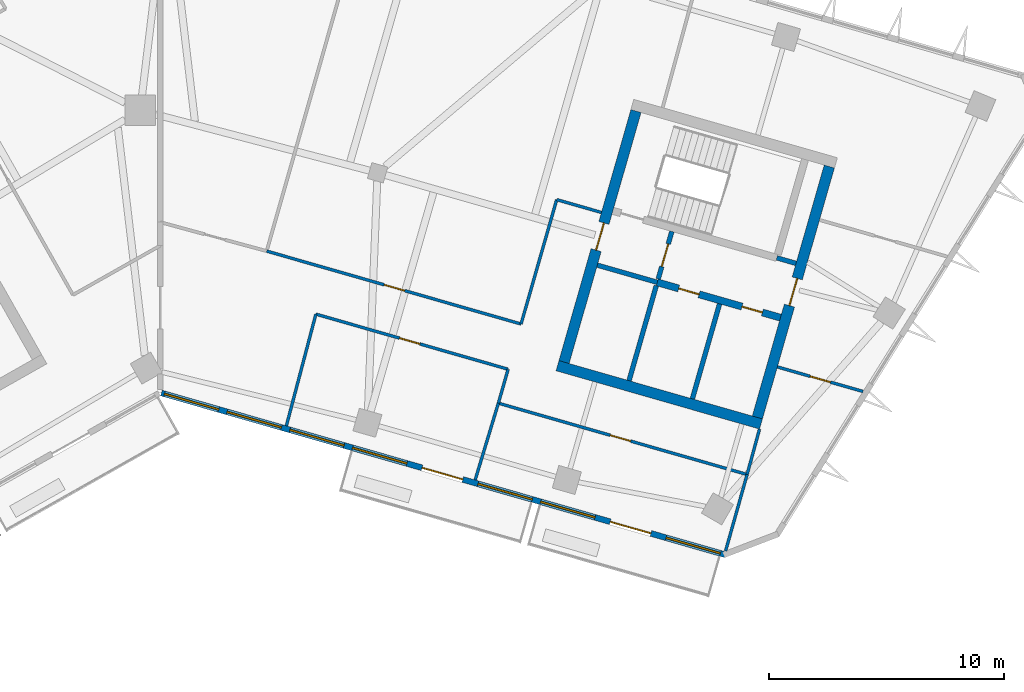
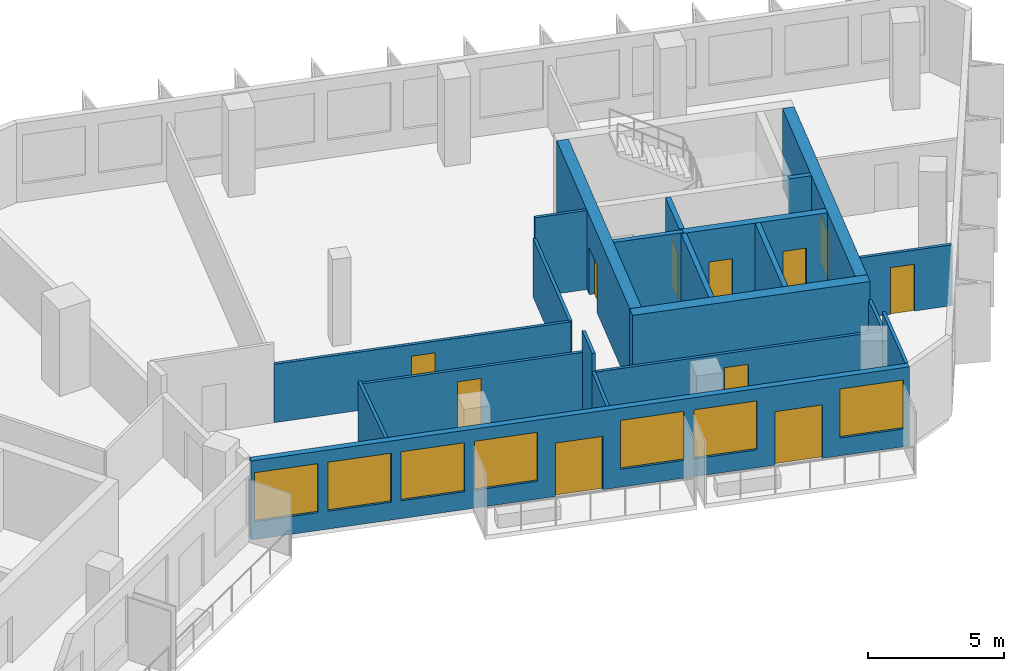
# One storey, part 7 of 12: 21 walls, 11 doors, 7 windows, 18 openings.
"""IFC4 building model written with IfcOpenShell, lengths in metres."""

from ifc_helpers import new_model, si_unit, direction, frame, frame_2d, origin, place, context, subcontext, project, spatial, rectangle, extrude, material, layer, layer_set, type_object, element, fill, save


model = new_model("IFC4")

# Units and contexts
model_context = context("Model", 3, precision=1e-05, world=origin(), true_north=direction((0.0, 1.0)))
body_context = subcontext(model_context, "Body", "Model", "MODEL_VIEW")
ifc_project = project(units=[si_unit("LENGTHUNIT", "METRE"), si_unit("AREAUNIT", "SQUARE_METRE"), si_unit("VOLUMEUNIT", "CUBIC_METRE"), si_unit("PLANEANGLEUNIT", "RADIAN"), si_unit("MASSUNIT", "GRAM", prefix="KILO")], contexts=[model_context])

# Site, building, storey
site_placement = place(None, origin())
site = spatial("IfcSite", under=ifc_project, at=site_placement, CompositionType="ELEMENT")
building_placement = place(site_placement, origin())
building = spatial("IfcBuilding", under=site, at=building_placement, Name="Binnacle Exchange Tower", CompositionType="ELEMENT")
storey_placement = place(building_placement, frame((0.0, 0.0, 254.300048828125)))
storey = spatial("IfcBuildingStorey", under=building, at=storey_placement, Name="L56", CompositionType="ELEMENT", Elevation=254.300048828125)

# Wall
ifc_material_1 = material(Name="Gypsum partition fire rated")
ifc_layer_1 = layer(ifc_material_1, 0.199951171875)
ifc_layer_set_1 = layer_set([ifc_layer_1], Name="Core partition 200")
wall_type_1 = type_object("IfcWallType", Name="Core partition 200", PredefinedType="PARTITIONING", material=ifc_layer_set_1)
wall_1_placement = place(storey_placement, frame((22.623291015625, 47.7392578125, 0.0), z_axis=(0.0, 0.0, 1.0), x_axis=(0.275642273411, 0.961260285827, 0.0)))
element("IfcWall", 1, at=wall_1_placement, inside=storey, type_object=wall_type_1, Name="Core wall CRWD10", PredefinedType="PARTITIONING", context=body_context, shape_type="SweptSolid", body=[
    extrude(rectangle(XDim=4.199951171875, YDim=0.199951171875, at=frame_2d((2.10009765625, 0.0))), origin(), (0.0, 0.0, 1.0), 3.550048828125),
])

# Wall, openings, doors
ifc_material_2 = material(Name="Concrete C70/85", Category="concrete")
ifc_layer_2 = layer(ifc_material_2, 0.300048828125)
ifc_layer_set_2 = layer_set([ifc_layer_2], Name="Core wall - front 300")
wall_type_2 = type_object("IfcWallType", Name="Core wall - front 300", PredefinedType="SOLIDWALL", material=ifc_layer_set_2)
wall_2_placement = place(storey_placement, frame((21.130859375, 52.6923828125, 0.0), z_axis=(0.0, 0.0, 1.0), x_axis=(0.961261488075, -0.275638080722, 0.0)))
wall_2 = element("IfcWall", 2, at=wall_2_placement, inside=storey, type_object=wall_type_2, Name="Core wall CRWD3", PredefinedType="SOLIDWALL", context=body_context, shape_type="SweptSolid", body=[
    extrude(rectangle(XDim=5.449951171875, YDim=0.300048828125, at=frame_2d((2.72509765625, 0.0))), origin(), (0.0, 0.0, 1.0), 3.550048828125),
])
opening_1_placement = place(wall_2_placement, frame((0.949951171875, 0.0, 0.0)))
opening_1 = element("IfcOpeningElement", 3, at=opening_1_placement, cuts=wall_2, Name="Opening DD10", PredefinedType="OPENING", context=body_context, shape_type="SweptSolid", body=[
    extrude(rectangle(XDim=0.89990234375, YDim=2.10009765625, at=frame_2d((0.449951171875, 1.050048828125))), frame((0.0, 0.159912109375, 0.0), z_axis=(0.0, -1.0, 0.0), x_axis=(1.0, 0.0, 0.0)), (0.0, 0.0, 1.0), 0.320068359375),
])
opening_2_placement = place(wall_2_placement, frame((3.75, 0.0, 0.0)))
opening_2 = element("IfcOpeningElement", 4, at=opening_2_placement, cuts=wall_2, Name="Opening DD11", PredefinedType="OPENING", context=body_context, shape_type="SweptSolid", body=[
    extrude(rectangle(XDim=0.89990234375, YDim=2.10009765625, at=frame_2d((0.449951171875, 1.050048828125))), frame((0.0, 0.159912109375, 0.0), z_axis=(0.0, -1.0, 0.0), x_axis=(1.0, 0.0, 0.0)), (0.0, 0.0, 1.0), 0.320068359375),
])
ifc_material_3 = material(Name="Steel door leaf", Category="steel")
door_type_1 = type_object("IfcDoorType", Name="Fire door 900", OperationType="NOTDEFINED", PredefinedType="DOOR", material=ifc_material_3)
door_1_placement = place(opening_1_placement, frame((0.89990234375, 0.0, 0.0), z_axis=(0.0, 0.0, 1.0), x_axis=(-1.0, 0.0, 0.0)))
door_1 = element("IfcDoor", 5, at=door_1_placement, inside=storey, type_object=door_type_1, Name="Core room door IT STORE", OperationType="SINGLE_SWING_RIGHT", OverallHeight=2.10009765625, OverallWidth=0.89990234375, PredefinedType="DOOR", context=body_context, shape_type="SweptSolid", body=[
    extrude(rectangle(XDim=0.89990234375, YDim=2.10009765625, at=frame_2d((0.449951171875, 1.050048828125))), frame((0.0, 0.02490234375, 0.0), z_axis=(0.0, -1.0, 0.0), x_axis=(1.0, 0.0, 0.0)), (0.0, 0.0, 1.0), 0.050048828125),
])
fill(opening_1, door_1)
door_2_placement = place(opening_2_placement, frame((0.89990234375, 0.0, 0.0), z_axis=(0.0, 0.0, 1.0), x_axis=(-1.0, 0.0, 0.0)))
door_2 = element("IfcDoor", 6, at=door_2_placement, inside=storey, type_object=door_type_1, Name="Core room door UPS CUPBOARD", OperationType="SINGLE_SWING_LEFT", OverallHeight=2.10009765625, OverallWidth=0.89990234375, PredefinedType="DOOR", context=body_context, shape_type="SweptSolid", body=[
    extrude(rectangle(XDim=0.89990234375, YDim=2.10009765625, at=frame_2d((0.449951171875, 1.050048828125))), frame((0.0, 0.02490234375, 0.0), z_axis=(0.0, -1.0, 0.0), x_axis=(1.0, 0.0, 0.0)), (0.0, 0.0, 1.0), 0.050048828125),
])
fill(opening_2, door_2)

# Wall
ifc_layer_3 = layer(ifc_material_2, 0.449951171875)
ifc_layer_set_3 = layer_set([ifc_layer_3], Name="Core wall - outer 450")
wall_type_3 = type_object("IfcWallType", Name="Core wall - outer 450", PredefinedType="SOLIDWALL", material=ifc_layer_set_3)
wall_3_placement = place(storey_placement, frame((16.889892578125, 49.149169921875, 0.0), z_axis=(0.0, 0.0, 1.0), x_axis=(0.96126248289, -0.275634611374, 0.0)))
element("IfcWall", 7, at=wall_3_placement, inside=storey, type_object=wall_type_3, Name="Core wall CRWD1", PredefinedType="SOLIDWALL", context=body_context, shape_type="SweptSolid", body=[
    extrude(rectangle(XDim=9.0, YDim=0.449951171875, at=frame_2d((4.5, 0.0))), origin(), (0.0, 0.0, 1.0), 3.550048828125),
])

# Wall, opening, door
wall_4_placement = place(storey_placement, frame((17.168212890625, 49.303466796875, 0.0), z_axis=(0.0, 0.0, 1.0), x_axis=(0.275638974822, 0.961261231695, 0.0)))
wall_4 = element("IfcWall", 8, at=wall_4_placement, inside=storey, type_object=wall_type_3, Name="Core wall CRWD7", PredefinedType="SOLIDWALL", context=body_context, shape_type="SweptSolid", body=[
    extrude(rectangle(XDim=11.099853515625, YDim=0.449951171875, at=frame_2d((5.5498046875, 0.0))), origin(), (0.0, 0.0, 1.0), 3.550048828125),
])
opening_3_placement = place(wall_4_placement, frame((4.9501953125, 0.0, 0.0)))
opening_3 = element("IfcOpeningElement", 9, at=opening_3_placement, cuts=wall_4, Name="Opening DD5", PredefinedType="OPENING", context=body_context, shape_type="SweptSolid", body=[
    extrude(rectangle(XDim=1.199951171875, YDim=2.10009765625, at=frame_2d((0.60009765625, 1.050048828125))), frame((0.0, 0.23486328125, 0.0), z_axis=(0.0, -1.0, 0.0), x_axis=(1.0, 0.0, 0.0)), (0.0, 0.0, 1.0), 0.469970703125),
])
door_type_2 = type_object("IfcDoorType", Name="Fire door 1200", OperationType="NOTDEFINED", PredefinedType="DOOR", material=ifc_material_3)
door_3_placement = place(opening_3_placement, origin())
door_3 = element("IfcDoor", 10, at=door_3_placement, inside=storey, type_object=door_type_2, Name="Vestibule exit door VEST-W", OperationType="SINGLE_SWING_RIGHT", OverallHeight=2.10009765625, OverallWidth=1.199951171875, PredefinedType="DOOR", context=body_context, shape_type="SweptSolid", body=[
    extrude(rectangle(XDim=1.199951171875, YDim=2.10009765625, at=frame_2d((0.60009765625, 1.050048828125))), frame((0.0, 0.02490234375, 0.0), z_axis=(0.0, -1.0, 0.0), x_axis=(1.0, 0.0, 0.0)), (0.0, 0.0, 1.0), 0.050048828125),
])
fill(opening_3, door_3)

wall_5_placement = place(storey_placement, frame((25.386962890625, 46.94677734375, 0.0), z_axis=(0.0, 0.0, 1.0), x_axis=(0.275638974822, 0.961261231695, 0.0)))
wall_5 = element("IfcWall", 11, at=wall_5_placement, inside=storey, type_object=wall_type_3, Name="Core wall CRWD12", PredefinedType="SOLIDWALL", context=body_context, shape_type="SweptSolid", body=[
    extrude(rectangle(XDim=11.099853515625, YDim=0.449951171875, at=frame_2d((5.5498046875, 0.0))), origin(), (0.0, 0.0, 1.0), 3.550048828125),
])
opening_4_placement = place(wall_5_placement, frame((4.949951171875, 0.0, 0.0)))
opening_4 = element("IfcOpeningElement", 12, at=opening_4_placement, cuts=wall_5, Name="Opening DD6", PredefinedType="OPENING", context=body_context, shape_type="SweptSolid", body=[
    extrude(rectangle(XDim=1.199951171875, YDim=2.10009765625, at=frame_2d((0.60009765625, 1.050048828125))), frame((0.0, 0.23486328125, 0.0), z_axis=(0.0, -1.0, 0.0), x_axis=(1.0, 0.0, 0.0)), (0.0, 0.0, 1.0), 0.469970703125),
])
door_4_placement = place(opening_4_placement, frame((1.199951171875, 0.0, 0.0), z_axis=(0.0, 0.0, 1.0), x_axis=(-1.0, 0.0, 0.0)))
door_4 = element("IfcDoor", 13, at=door_4_placement, inside=storey, type_object=door_type_2, Name="Core passage exit door", OperationType="SINGLE_SWING_RIGHT", OverallHeight=2.10009765625, OverallWidth=1.199951171875, PredefinedType="DOOR", context=body_context, shape_type="SweptSolid", body=[
    extrude(rectangle(XDim=1.199951171875, YDim=2.10009765625, at=frame_2d((0.60009765625, 1.050048828125))), frame((0.0, 0.02490234375, 0.0), z_axis=(0.0, -1.0, 0.0), x_axis=(1.0, 0.0, 0.0)), (0.0, 0.0, 1.0), 0.050048828125),
])
fill(opening_4, door_4)

# Wall, openings, doors, windows
ifc_material_4 = material(Name="Bronze aluminium cladding", Category="aluminium")
ifc_layer_4 = layer(ifc_material_4, 0.25)
ifc_layer_set_4 = layer_set([ifc_layer_4], Name="External wall - window wall 250")
wall_type_4 = type_object("IfcWallType", Name="External wall - window wall 250", PredefinedType="STANDARD", material=ifc_layer_set_4)
wall_6_placement = place(storey_placement, frame((24.034423828125, 41.108154296875, 0.0), z_axis=(0.0, 0.0, 1.0), x_axis=(-0.96126060691, 0.275641153683, 0.0)))
wall_6 = element("IfcWall", 14, at=wall_6_placement, inside=storey, type_object=wall_type_4, Name="External wall EW-G02 L56", PredefinedType="STANDARD", context=body_context, shape_type="SweptSolid", body=[
    extrude(rectangle(XDim=24.95068359375, YDim=0.25, at=frame_2d((12.475341796875, 0.0))), origin(), (0.0, 0.0, 1.0), 3.550048828125),
])
opening_5_placement = place(wall_6_placement, frame((22.416259765625, 0.0, 0.800048828125)))
opening_5 = element("IfcOpeningElement", 15, at=opening_5_placement, cuts=wall_6, Name="Opening WR1", PredefinedType="OPENING", context=body_context, shape_type="SweptSolid", body=[
    extrude(rectangle(XDim=2.39990234375, YDim=2.199951171875, at=frame_2d((1.199951171875, 1.10009765625))), frame((0.0, 0.135009765625, 0.0), z_axis=(0.0, -1.0, 0.0), x_axis=(1.0, 0.0, 0.0)), (0.0, 0.0, 1.0), 0.27001953125),
])
opening_6_placement = place(wall_6_placement, frame((19.642822265625, 0.0, 0.800048828125)))
opening_6 = element("IfcOpeningElement", 16, at=opening_6_placement, cuts=wall_6, Name="Opening WR1", PredefinedType="OPENING", context=body_context, shape_type="SweptSolid", body=[
    extrude(rectangle(XDim=2.39990234375, YDim=2.199951171875, at=frame_2d((1.199951171875, 1.10009765625))), frame((0.0, 0.135009765625, 0.0), z_axis=(0.0, -1.0, 0.0), x_axis=(1.0, 0.0, 0.0)), (0.0, 0.0, 1.0), 0.27001953125),
])
opening_7_placement = place(wall_6_placement, frame((16.869384765625, 0.0, 0.800048828125)))
opening_7 = element("IfcOpeningElement", 17, at=opening_7_placement, cuts=wall_6, Name="Opening WR1", PredefinedType="OPENING", context=body_context, shape_type="SweptSolid", body=[
    extrude(rectangle(XDim=2.39990234375, YDim=2.199951171875, at=frame_2d((1.199951171875, 1.10009765625))), frame((0.0, 0.135009765625, 0.0), z_axis=(0.0, -1.0, 0.0), x_axis=(1.0, 0.0, 0.0)), (0.0, 0.0, 1.0), 0.27001953125),
])
opening_8_placement = place(wall_6_placement, frame((14.095947265625, 0.0, 0.800048828125)))
opening_8 = element("IfcOpeningElement", 18, at=opening_8_placement, cuts=wall_6, Name="Opening WR1", PredefinedType="OPENING", context=body_context, shape_type="SweptSolid", body=[
    extrude(rectangle(XDim=2.39990234375, YDim=2.199951171875, at=frame_2d((1.199951171875, 1.10009765625))), frame((0.0, 0.135009765625, 0.0), z_axis=(0.0, -1.0, 0.0), x_axis=(1.0, 0.0, 0.0)), (0.0, 0.0, 1.0), 0.27001953125),
])
opening_9_placement = place(wall_6_placement, frame((11.622314453125, 0.0, 0.0)))
opening_9 = element("IfcOpeningElement", 19, at=opening_9_placement, cuts=wall_6, Name="Opening D-FS15-06", PredefinedType="OPENING", context=body_context, shape_type="SweptSolid", body=[
    extrude(rectangle(XDim=1.800048828125, YDim=2.39990234375, at=frame_2d((0.89990234375, 1.199951171875))), frame((0.0, 0.135009765625, 0.0), z_axis=(0.0, -1.0, 0.0), x_axis=(1.0, 0.0, 0.0)), (0.0, 0.0, 1.0), 0.27001953125),
])
opening_10_placement = place(wall_6_placement, frame((8.548828125, 0.0, 0.800048828125)))
opening_10 = element("IfcOpeningElement", 20, at=opening_10_placement, cuts=wall_6, Name="Opening WR1", PredefinedType="OPENING", context=body_context, shape_type="SweptSolid", body=[
    extrude(rectangle(XDim=2.39990234375, YDim=2.199951171875, at=frame_2d((1.199951171875, 1.10009765625))), frame((0.0, 0.135009765625, 0.0), z_axis=(0.0, -1.0, 0.0), x_axis=(1.0, 0.0, 0.0)), (0.0, 0.0, 1.0), 0.27001953125),
])
opening_11_placement = place(wall_6_placement, frame((5.775390625, 0.0, 0.800048828125)))
opening_11 = element("IfcOpeningElement", 21, at=opening_11_placement, cuts=wall_6, Name="Opening WR1", PredefinedType="OPENING", context=body_context, shape_type="SweptSolid", body=[
    extrude(rectangle(XDim=2.39990234375, YDim=2.199951171875, at=frame_2d((1.199951171875, 1.10009765625))), frame((0.0, 0.135009765625, 0.0), z_axis=(0.0, -1.0, 0.0), x_axis=(1.0, 0.0, 0.0)), (0.0, 0.0, 1.0), 0.27001953125),
])
opening_12_placement = place(wall_6_placement, frame((3.302001953125, 0.0, 0.0)))
opening_12 = element("IfcOpeningElement", 22, at=opening_12_placement, cuts=wall_6, Name="Opening D-FS15-07", PredefinedType="OPENING", context=body_context, shape_type="SweptSolid", body=[
    extrude(rectangle(XDim=1.800048828125, YDim=2.39990234375, at=frame_2d((0.89990234375, 1.199951171875))), frame((0.0, 0.135009765625, 0.0), z_axis=(0.0, -1.0, 0.0), x_axis=(1.0, 0.0, 0.0)), (0.0, 0.0, 1.0), 0.27001953125),
])
opening_13_placement = place(wall_6_placement, frame((0.228515625, 0.0, 0.800048828125)))
opening_13 = element("IfcOpeningElement", 23, at=opening_13_placement, cuts=wall_6, Name="Opening WR1", PredefinedType="OPENING", context=body_context, shape_type="SweptSolid", body=[
    extrude(rectangle(XDim=2.39990234375, YDim=2.199951171875, at=frame_2d((1.199951171875, 1.10009765625))), frame((0.0, 0.135009765625, 0.0), z_axis=(0.0, -1.0, 0.0), x_axis=(1.0, 0.0, 0.0)), (0.0, 0.0, 1.0), 0.27001953125),
])
ifc_material_5 = material(Name="Bronze anodised aluminium frame", Category="aluminium")
door_type_3 = type_object("IfcDoorType", Name="DB DOOR 1800x2400", OperationType="DOUBLE_DOOR_SINGLE_SWING", PredefinedType="DOOR", material=ifc_material_5)
door_5_placement = place(opening_9_placement, origin())
door_5 = element("IfcDoor", 24, at=door_5_placement, inside=storey, type_object=door_type_3, Name="Door D-FS15-06 L56", OperationType="DOUBLE_DOOR_SINGLE_SWING", OverallHeight=2.39990234375, OverallWidth=1.800048828125, PredefinedType="DOOR", context=body_context, shape_type="SweptSolid", body=[
    extrude(rectangle(XDim=1.800048828125, YDim=2.39990234375, at=frame_2d((0.89990234375, 1.199951171875))), frame((0.0, 0.02490234375, 0.0), z_axis=(0.0, -1.0, 0.0), x_axis=(1.0, 0.0, 0.0)), (0.0, 0.0, 1.0), 0.050048828125),
])
fill(opening_9, door_5)
door_6_placement = place(opening_12_placement, origin())
door_6 = element("IfcDoor", 25, at=door_6_placement, inside=storey, type_object=door_type_3, Name="Door D-FS15-07 L56", OperationType="DOUBLE_DOOR_SINGLE_SWING", OverallHeight=2.39990234375, OverallWidth=1.800048828125, PredefinedType="DOOR", context=body_context, shape_type="SweptSolid", body=[
    extrude(rectangle(XDim=1.800048828125, YDim=2.39990234375, at=frame_2d((0.89990234375, 1.199951171875))), frame((0.0, 0.02490234375, 0.0), z_axis=(0.0, -1.0, 0.0), x_axis=(1.0, 0.0, 0.0)), (0.0, 0.0, 1.0), 0.050048828125),
])
fill(opening_12, door_6)
window_type = type_object("IfcWindowType", Name="WR1 WINDOW 2400x2200", PartitioningType="SINGLE_PANEL", PredefinedType="WINDOW", material=ifc_material_5)
window_1_placement = place(opening_5_placement, origin())
window_1 = element("IfcWindow", 26, at=window_1_placement, inside=storey, type_object=window_type, Name="Window WR1 L56", OverallHeight=2.199951171875, OverallWidth=2.39990234375, PartitioningType="SINGLE_PANEL", PredefinedType="WINDOW", context=body_context, shape_type="SweptSolid", body=[
    extrude(rectangle(XDim=2.39990234375, YDim=2.199951171875, at=frame_2d((1.199951171875, 1.10009765625))), frame((0.0, 0.030029296875, 0.0), z_axis=(0.0, -1.0, 0.0), x_axis=(1.0, 0.0, 0.0)), (0.0, 0.0, 1.0), 0.06005859375),
])
fill(opening_5, window_1)
window_2_placement = place(opening_6_placement, origin())
window_2 = element("IfcWindow", 27, at=window_2_placement, inside=storey, type_object=window_type, Name="Window WR1 L56", OverallHeight=2.199951171875, OverallWidth=2.39990234375, PartitioningType="SINGLE_PANEL", PredefinedType="WINDOW", context=body_context, shape_type="SweptSolid", body=[
    extrude(rectangle(XDim=2.39990234375, YDim=2.199951171875, at=frame_2d((1.199951171875, 1.10009765625))), frame((0.0, 0.030029296875, 0.0), z_axis=(0.0, -1.0, 0.0), x_axis=(1.0, 0.0, 0.0)), (0.0, 0.0, 1.0), 0.06005859375),
])
fill(opening_6, window_2)
window_3_placement = place(opening_7_placement, origin())
window_3 = element("IfcWindow", 28, at=window_3_placement, inside=storey, type_object=window_type, Name="Window WR1 L56", OverallHeight=2.199951171875, OverallWidth=2.39990234375, PartitioningType="SINGLE_PANEL", PredefinedType="WINDOW", context=body_context, shape_type="SweptSolid", body=[
    extrude(rectangle(XDim=2.39990234375, YDim=2.199951171875, at=frame_2d((1.199951171875, 1.10009765625))), frame((0.0, 0.030029296875, 0.0), z_axis=(0.0, -1.0, 0.0), x_axis=(1.0, 0.0, 0.0)), (0.0, 0.0, 1.0), 0.06005859375),
])
fill(opening_7, window_3)
window_4_placement = place(opening_8_placement, origin())
window_4 = element("IfcWindow", 29, at=window_4_placement, inside=storey, type_object=window_type, Name="Window WR1 L56", OverallHeight=2.199951171875, OverallWidth=2.39990234375, PartitioningType="SINGLE_PANEL", PredefinedType="WINDOW", context=body_context, shape_type="SweptSolid", body=[
    extrude(rectangle(XDim=2.39990234375, YDim=2.199951171875, at=frame_2d((1.199951171875, 1.10009765625))), frame((0.0, 0.030029296875, 0.0), z_axis=(0.0, -1.0, 0.0), x_axis=(1.0, 0.0, 0.0)), (0.0, 0.0, 1.0), 0.06005859375),
])
fill(opening_8, window_4)
window_5_placement = place(opening_10_placement, origin())
window_5 = element("IfcWindow", 30, at=window_5_placement, inside=storey, type_object=window_type, Name="Window WR1 L56", OverallHeight=2.199951171875, OverallWidth=2.39990234375, PartitioningType="SINGLE_PANEL", PredefinedType="WINDOW", context=body_context, shape_type="SweptSolid", body=[
    extrude(rectangle(XDim=2.39990234375, YDim=2.199951171875, at=frame_2d((1.199951171875, 1.10009765625))), frame((0.0, 0.030029296875, 0.0), z_axis=(0.0, -1.0, 0.0), x_axis=(1.0, 0.0, 0.0)), (0.0, 0.0, 1.0), 0.06005859375),
])
fill(opening_10, window_5)
window_6_placement = place(opening_11_placement, origin())
window_6 = element("IfcWindow", 31, at=window_6_placement, inside=storey, type_object=window_type, Name="Window WR1 L56", OverallHeight=2.199951171875, OverallWidth=2.39990234375, PartitioningType="SINGLE_PANEL", PredefinedType="WINDOW", context=body_context, shape_type="SweptSolid", body=[
    extrude(rectangle(XDim=2.39990234375, YDim=2.199951171875, at=frame_2d((1.199951171875, 1.10009765625))), frame((0.0, 0.030029296875, 0.0), z_axis=(0.0, -1.0, 0.0), x_axis=(1.0, 0.0, 0.0)), (0.0, 0.0, 1.0), 0.06005859375),
])
fill(opening_11, window_6)
window_7_placement = place(opening_13_placement, origin())
window_7 = element("IfcWindow", 32, at=window_7_placement, inside=storey, type_object=window_type, Name="Window WR1 L56", OverallHeight=2.199951171875, OverallWidth=2.39990234375, PartitioningType="SINGLE_PANEL", PredefinedType="WINDOW", context=body_context, shape_type="SweptSolid", body=[
    extrude(rectangle(XDim=2.39990234375, YDim=2.199951171875, at=frame_2d((1.199951171875, 1.10009765625))), frame((0.0, 0.030029296875, 0.0), z_axis=(0.0, -1.0, 0.0), x_axis=(1.0, 0.0, 0.0)), (0.0, 0.0, 1.0), 0.06005859375),
])
fill(opening_13, window_7)

# Wall, opening, door
ifc_material_6 = material(Name="Masonry block wall", Category="masonry")
ifc_layer_5 = layer(ifc_material_6, 0.199951171875)
ifc_layer_set_5 = layer_set([ifc_layer_5], Name="Fire wall - vestibule 200")
wall_type_5 = type_object("IfcWallType", Name="Fire wall - vestibule 200", PredefinedType="PARTITIONING", material=ifc_layer_set_5)
wall_7_placement = place(storey_placement, frame((21.172119140625, 52.836669921875, 0.0), z_axis=(0.0, 0.0, 1.0), x_axis=(0.275657676022, 0.961255868981, 0.0)))
wall_7 = element("IfcWall", 33, at=wall_7_placement, inside=storey, type_object=wall_type_5, Name="Core wall CRWD9", PredefinedType="PARTITIONING", context=body_context, shape_type="SweptSolid", body=[
    extrude(rectangle(XDim=2.099853515625, YDim=0.199951171875, at=frame_2d((1.0498046875, 0.0))), origin(), (0.0, 0.0, 1.0), 3.550048828125),
])
opening_14_placement = place(wall_7_placement, frame((0.550048828125, 0.0, 0.0)))
opening_14 = element("IfcOpeningElement", 34, at=opening_14_placement, cuts=wall_7, Name="Opening DD3", PredefinedType="OPENING", context=body_context, shape_type="SweptSolid", body=[
    extrude(rectangle(XDim=1.0, YDim=2.10009765625, at=frame_2d((0.5, 1.050048828125))), frame((0.0, 0.10986328125, 0.0), z_axis=(0.0, -1.0, 0.0), x_axis=(1.0, 0.0, 0.0)), (0.0, 0.0, 1.0), 0.219970703125),
])
door_type_4 = type_object("IfcDoorType", Name="Fire door 1000", OperationType="NOTDEFINED", PredefinedType="DOOR", material=ifc_material_3)
door_7_placement = place(opening_14_placement, origin())
door_7 = element("IfcDoor", 35, at=door_7_placement, inside=storey, type_object=door_type_4, Name="Vestibule door VEST-W", OperationType="SINGLE_SWING_RIGHT", OverallHeight=2.10009765625, OverallWidth=1.0, PredefinedType="DOOR", context=body_context, shape_type="SweptSolid", body=[
    extrude(rectangle(XDim=1.0, YDim=2.10009765625, at=frame_2d((0.5, 1.050048828125))), frame((0.0, 0.02490234375, 0.0), z_axis=(0.0, -1.0, 0.0), x_axis=(1.0, 0.0, 0.0)), (0.0, 0.0, 1.0), 0.050048828125),
])
fill(opening_14, door_7)

ifc_material_7 = material(Name="Gypsum partition")
ifc_layer_6 = layer(ifc_material_7, 0.125)
ifc_layer_set_6 = layer_set([ifc_layer_6], Name="Partition 125")
wall_type_6 = type_object("IfcWallType", Name="Partition 125", PredefinedType="PARTITIONING", material=ifc_layer_set_6)
wall_8_placement = place(storey_placement, frame((4.527099609375, 54.02001953125, 0.0), z_axis=(0.0, 0.0, 1.0), x_axis=(0.961279520283, -0.275575187352, 0.0)))
wall_8 = element("IfcWall", 36, at=wall_8_placement, inside=storey, type_object=wall_type_6, Name="Partition W27", PredefinedType="PARTITIONING", context=body_context, shape_type="SweptSolid", body=[
    extrude(rectangle(XDim=11.24951171875, YDim=0.125, at=frame_2d((5.624755859375, 0.0))), origin(), (0.0, 0.0, 1.0), 2.617919921875),
])
opening_15_placement = place(wall_8_placement, frame((5.199951171875, 0.0, 0.0)))
opening_15 = element("IfcOpeningElement", 37, at=opening_15_placement, cuts=wall_8, Name="Opening DL55-09", PredefinedType="OPENING", context=body_context, shape_type="SweptSolid", body=[
    extrude(rectangle(XDim=0.89990234375, YDim=2.10009765625, at=frame_2d((0.449951171875, 1.050048828125))), frame((0.0, 0.072509765625, 0.0), z_axis=(0.0, -1.0, 0.0), x_axis=(1.0, 0.0, 0.0)), (0.0, 0.0, 1.0), 0.14501953125),
])
ifc_material_8 = material(Name="Timber door leaf", Category="wood")
door_type_5 = type_object("IfcDoorType", Name="Door 900", OperationType="NOTDEFINED", PredefinedType="DOOR", material=ifc_material_8)
door_8_placement = place(opening_15_placement, origin())
door_8 = element("IfcDoor", 38, at=door_8_placement, inside=storey, type_object=door_type_5, Name="Door DL55-09", OperationType="SINGLE_SWING_RIGHT", OverallHeight=2.10009765625, OverallWidth=0.89990234375, PredefinedType="DOOR", context=body_context, shape_type="SweptSolid", body=[
    extrude(rectangle(XDim=0.89990234375, YDim=2.10009765625, at=frame_2d((0.449951171875, 1.050048828125))), frame((0.0, 0.02490234375, 0.0), z_axis=(0.0, -1.0, 0.0), x_axis=(1.0, 0.0, 0.0)), (0.0, 0.0, 1.0), 0.050048828125),
])
fill(opening_15, door_8)

# Wall
wall_9_placement = place(storey_placement, frame((5.364013671875, 46.592041015625, 0.0), z_axis=(0.0, 0.0, 1.0), x_axis=(0.255520885185, 0.966803536006, 0.0)))
element("IfcWall", 39, at=wall_9_placement, inside=storey, type_object=wall_type_6, Name="Partition W28", PredefinedType="PARTITIONING", context=body_context, shape_type="SweptSolid", body=[
    extrude(rectangle(XDim=4.9111328125, YDim=0.125, at=frame_2d((2.45556640625, 0.0))), origin(), (0.0, 0.0, 1.0), 2.72998046875),
])

# Wall, opening, door
wall_10_placement = place(storey_placement, frame((6.618896484375, 51.340087890625, 0.0), z_axis=(0.0, 0.0, 1.0), x_axis=(0.961262314742, -0.275635197782, 0.0)))
wall_10 = element("IfcWall", 40, at=wall_10_placement, inside=storey, type_object=wall_type_6, Name="Partition W29", PredefinedType="PARTITIONING", context=body_context, shape_type="SweptSolid", body=[
    extrude(rectangle(XDim=8.50048828125, YDim=0.125, at=frame_2d((4.250244140625, 0.0))), origin(), (0.0, 0.0, 1.0), 2.617919921875),
])
opening_16_placement = place(wall_10_placement, frame((3.699951171875, 0.0, 0.0)))
opening_16 = element("IfcOpeningElement", 41, at=opening_16_placement, cuts=wall_10, Name="Opening DL55-10", PredefinedType="OPENING", context=body_context, shape_type="SweptSolid", body=[
    extrude(rectangle(XDim=0.89990234375, YDim=2.10009765625, at=frame_2d((0.449951171875, 1.050048828125))), frame((0.0, 0.072509765625, 0.0), z_axis=(0.0, -1.0, 0.0), x_axis=(1.0, 0.0, 0.0)), (0.0, 0.0, 1.0), 0.14501953125),
])
door_9_placement = place(opening_16_placement, frame((0.89990234375, 0.0, 0.0), z_axis=(0.0, 0.0, 1.0), x_axis=(-1.0, 0.0, 0.0)))
door_9 = element("IfcDoor", 42, at=door_9_placement, inside=storey, type_object=door_type_5, Name="Door DL55-10", OperationType="SINGLE_SWING_RIGHT", OverallHeight=2.10009765625, OverallWidth=0.89990234375, PredefinedType="DOOR", context=body_context, shape_type="SweptSolid", body=[
    extrude(rectangle(XDim=0.89990234375, YDim=2.10009765625, at=frame_2d((0.449951171875, 1.050048828125))), frame((0.0, 0.02490234375, 0.0), z_axis=(0.0, -1.0, 0.0), x_axis=(1.0, 0.0, 0.0)), (0.0, 0.0, 1.0), 0.050048828125),
])
fill(opening_16, door_9)

# Walls
wall_11_placement = place(storey_placement, frame((13.389892578125, 44.2900390625, 0.0), z_axis=(0.0, 0.0, 1.0), x_axis=(0.289389501276, 0.957211427299, 0.0)))
element("IfcWall", 43, at=wall_11_placement, inside=storey, type_object=wall_type_6, Name="Partition W30", PredefinedType="PARTITIONING", context=body_context, shape_type="SweptSolid", body=[
    extrude(rectangle(XDim=3.410888671875, YDim=0.125, at=frame_2d((1.70556640625, 0.0))), origin(), (0.0, 0.0, 1.0), 2.72998046875),
])
wall_12_placement = place(storey_placement, frame((14.376953125, 47.554931640625, 0.0), z_axis=(0.0, 0.0, 1.0), x_axis=(0.275365908, 0.961339490873, 0.0)))
element("IfcWall", 44, at=wall_12_placement, inside=storey, type_object=wall_type_6, Name="Partition W31", PredefinedType="PARTITIONING", context=body_context, shape_type="SweptSolid", body=[
    extrude(rectangle(XDim=1.500244140625, YDim=0.125, at=frame_2d((0.75, 0.0))), origin(), (0.0, 0.0, 1.0), 3.550048828125),
])

# Wall, opening, door
wall_13_placement = place(storey_placement, frame((14.376953125, 47.554931640625, 0.0), z_axis=(0.0, 0.0, 1.0), x_axis=(0.961263044958, -0.275632651182, 0.0)))
wall_13 = element("IfcWall", 45, at=wall_13_placement, inside=storey, type_object=wall_type_6, Name="Partition W32", PredefinedType="PARTITIONING", context=body_context, shape_type="SweptSolid", body=[
    extrude(rectangle(XDim=11.0, YDim=0.125, at=frame_2d((5.5, 0.0))), origin(), (0.0, 0.0, 1.0), 2.72998046875),
])
opening_17_placement = place(wall_13_placement, frame((4.949951171875, 0.0, 0.0)))
opening_17 = element("IfcOpeningElement", 46, at=opening_17_placement, cuts=wall_13, Name="Opening DL55-11", PredefinedType="OPENING", context=body_context, shape_type="SweptSolid", body=[
    extrude(rectangle(XDim=0.89990234375, YDim=2.10009765625, at=frame_2d((0.449951171875, 1.050048828125))), frame((0.0, 0.072509765625, 0.0), z_axis=(0.0, -1.0, 0.0), x_axis=(1.0, 0.0, 0.0)), (0.0, 0.0, 1.0), 0.14501953125),
])
door_10_placement = place(opening_17_placement, frame((0.89990234375, 0.0, 0.0), z_axis=(0.0, 0.0, 1.0), x_axis=(-1.0, 0.0, 0.0)))
door_10 = element("IfcDoor", 47, at=door_10_placement, inside=storey, type_object=door_type_5, Name="Door DL55-11", OperationType="SINGLE_SWING_RIGHT", OverallHeight=2.10009765625, OverallWidth=0.89990234375, PredefinedType="DOOR", context=body_context, shape_type="SweptSolid", body=[
    extrude(rectangle(XDim=0.89990234375, YDim=2.10009765625, at=frame_2d((0.449951171875, 1.050048828125))), frame((0.0, 0.02490234375, 0.0), z_axis=(0.0, -1.0, 0.0), x_axis=(1.0, 0.0, 0.0)), (0.0, 0.0, 1.0), 0.050048828125),
])
fill(opening_17, door_10)

# Walls
wall_14_placement = place(storey_placement, frame((15.341064453125, 50.919921875, 0.0), z_axis=(0.0, 0.0, 1.0), x_axis=(0.275653309838, 0.961257121053, 0.0)))
element("IfcWall", 48, at=wall_14_placement, inside=storey, type_object=wall_type_6, Name="Partition W33", PredefinedType="PARTITIONING", context=body_context, shape_type="SweptSolid", body=[
    extrude(rectangle(XDim=5.499267578125, YDim=0.125, at=frame_2d((2.74951171875, 0.0))), origin(), (0.0, 0.0, 1.0), 2.617919921875),
])
wall_15_placement = place(storey_placement, frame((16.85693359375, 56.2060546875, 0.0), z_axis=(0.0, 0.0, 1.0), x_axis=(0.961383985066, -0.275210525341, 0.0)))
element("IfcWall", 49, at=wall_15_placement, inside=storey, type_object=wall_type_6, Name="Partition W34", PredefinedType="PARTITIONING", context=body_context, shape_type="SweptSolid", body=[
    extrude(rectangle(XDim=1.9765625, YDim=0.125, at=frame_2d((0.98828125, 0.0))), origin(), (0.0, 0.0, 1.0), 3.550048828125),
])
wall_16_placement = place(storey_placement, frame((24.035888671875, 41.27001953125, 0.0), z_axis=(0.0, 0.0, 1.0), x_axis=(0.270787421954, 0.962639170256, 0.0)))
element("IfcWall", 50, at=wall_16_placement, inside=storey, type_object=wall_type_6, Name="Partition W36", PredefinedType="PARTITIONING", context=body_context, shape_type="SweptSolid", body=[
    extrude(rectangle(XDim=3.379150390625, YDim=0.125, at=frame_2d((1.689453125, 0.0))), origin(), (0.0, 0.0, 1.0), 3.550048828125),
])
wall_17_placement = place(storey_placement, frame((24.950927734375, 44.52294921875, 0.0), z_axis=(0.0, 0.0, 1.0), x_axis=(0.264046927145, 0.964509834198, 0.0)))
element("IfcWall", 51, at=wall_17_placement, inside=storey, type_object=wall_type_6, Name="Partition W37", PredefinedType="PARTITIONING", context=body_context, shape_type="SweptSolid", body=[
    extrude(rectangle(XDim=2.0, YDim=0.125, at=frame_2d((1.0, 0.0))), origin(), (0.0, 0.0, 1.0), 2.72998046875),
])

# Wall, opening, door
wall_18_placement = place(storey_placement, frame((26.237060546875, 49.095947265625, 0.0), z_axis=(0.0, 0.0, 1.0), x_axis=(0.961285271066, -0.275555126304, 0.0)))
wall_18 = element("IfcWall", 52, at=wall_18_placement, inside=storey, type_object=wall_type_6, Name="Partition W38", PredefinedType="PARTITIONING", context=body_context, shape_type="SweptSolid", body=[
    extrude(rectangle(XDim=3.78857421875, YDim=0.125, at=frame_2d((1.894287109375, 0.0))), origin(), (0.0, 0.0, 1.0), 2.72998046875),
])
opening_18_placement = place(wall_18_placement, frame((1.449951171875, 0.0, 0.0)))
opening_18 = element("IfcOpeningElement", 53, at=opening_18_placement, cuts=wall_18, Name="Opening DL55-13", PredefinedType="OPENING", context=body_context, shape_type="SweptSolid", body=[
    extrude(rectangle(XDim=0.89990234375, YDim=2.10009765625, at=frame_2d((0.449951171875, 1.050048828125))), frame((0.0, 0.072509765625, 0.0), z_axis=(0.0, -1.0, 0.0), x_axis=(1.0, 0.0, 0.0)), (0.0, 0.0, 1.0), 0.14501953125),
])
door_11_placement = place(opening_18_placement, frame((0.89990234375, 0.0, 0.0), z_axis=(0.0, 0.0, 1.0), x_axis=(-1.0, 0.0, 0.0)))
door_11 = element("IfcDoor", 54, at=door_11_placement, inside=storey, type_object=door_type_5, Name="Door DL55-13", OperationType="SINGLE_SWING_LEFT", OverallHeight=2.10009765625, OverallWidth=0.89990234375, PredefinedType="DOOR", context=body_context, shape_type="SweptSolid", body=[
    extrude(rectangle(XDim=0.89990234375, YDim=2.10009765625, at=frame_2d((0.449951171875, 1.050048828125))), frame((0.0, 0.02490234375, 0.0), z_axis=(0.0, -1.0, 0.0), x_axis=(1.0, 0.0, 0.0)), (0.0, 0.0, 1.0), 0.050048828125),
])
fill(opening_18, door_11)

# Walls
ifc_layer_7 = layer(ifc_material_6, 0.199951171875)
ifc_layer_set_7 = layer_set([ifc_layer_7], Name="Riser wall 200")
wall_type_7 = type_object("IfcWallType", Name="Riser wall 200", PredefinedType="SOLIDWALL", material=ifc_layer_set_7)
wall_19_placement = place(storey_placement, frame((18.58349609375, 53.4228515625, 0.0), z_axis=(0.0, 0.0, 1.0), x_axis=(0.961259287968, -0.275645753268, 0.0)))
element("IfcWall", 55, at=wall_19_placement, inside=storey, type_object=wall_type_7, Name="Core wall CRWD2", PredefinedType="SOLIDWALL", context=body_context, shape_type="SweptSolid", body=[
    extrude(rectangle(XDim=2.650146484375, YDim=0.199951171875, at=frame_2d((1.3251953125, 0.0))), origin(), (0.0, 0.0, 1.0), 3.550048828125),
])
wall_20_placement = place(storey_placement, frame((26.214111328125, 53.731689453125, 0.0), z_axis=(0.0, 0.0, 1.0), x_axis=(0.961241665642, -0.275707200184, 0.0)))
element("IfcWall", 56, at=wall_20_placement, inside=storey, type_object=wall_type_7, Name="Core wall CRWD5", PredefinedType="SOLIDWALL", context=body_context, shape_type="SweptSolid", body=[
    extrude(rectangle(XDim=0.85009765625, YDim=0.199951171875, at=frame_2d((0.425048828125, 0.0))), origin(), (0.0, 0.0, 1.0), 3.550048828125),
])
wall_21_placement = place(storey_placement, frame((19.931884765625, 48.510986328125, 0.0), z_axis=(0.0, 0.0, 1.0), x_axis=(0.275642273411, 0.961260285827, 0.0)))
element("IfcWall", 57, at=wall_21_placement, inside=storey, type_object=wall_type_7, Name="Core wall CRWD8", PredefinedType="SOLIDWALL", context=body_context, shape_type="SweptSolid", body=[
    extrude(rectangle(XDim=4.199951171875, YDim=0.199951171875, at=frame_2d((2.10009765625, 0.0))), origin(), (0.0, 0.0, 1.0), 3.550048828125),
])

save(model, "model.ifc")
